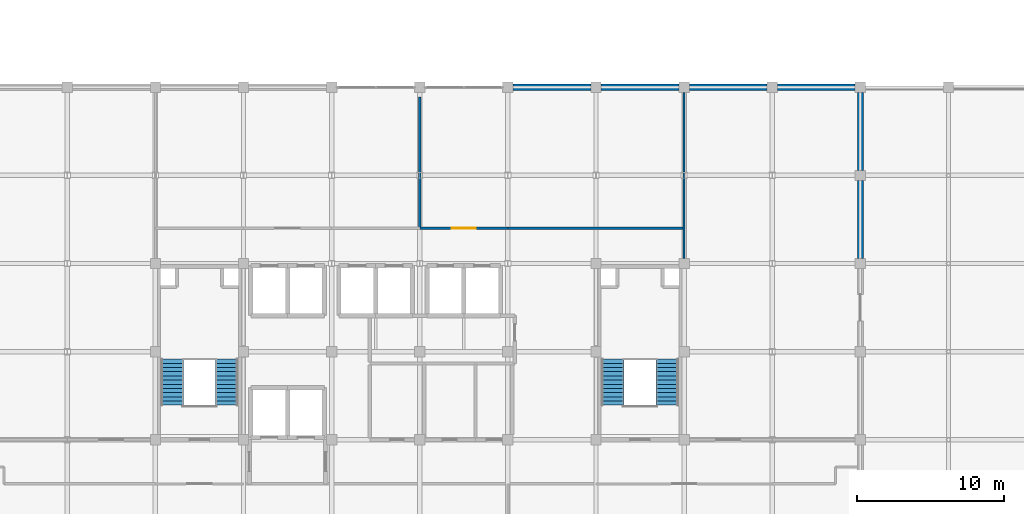
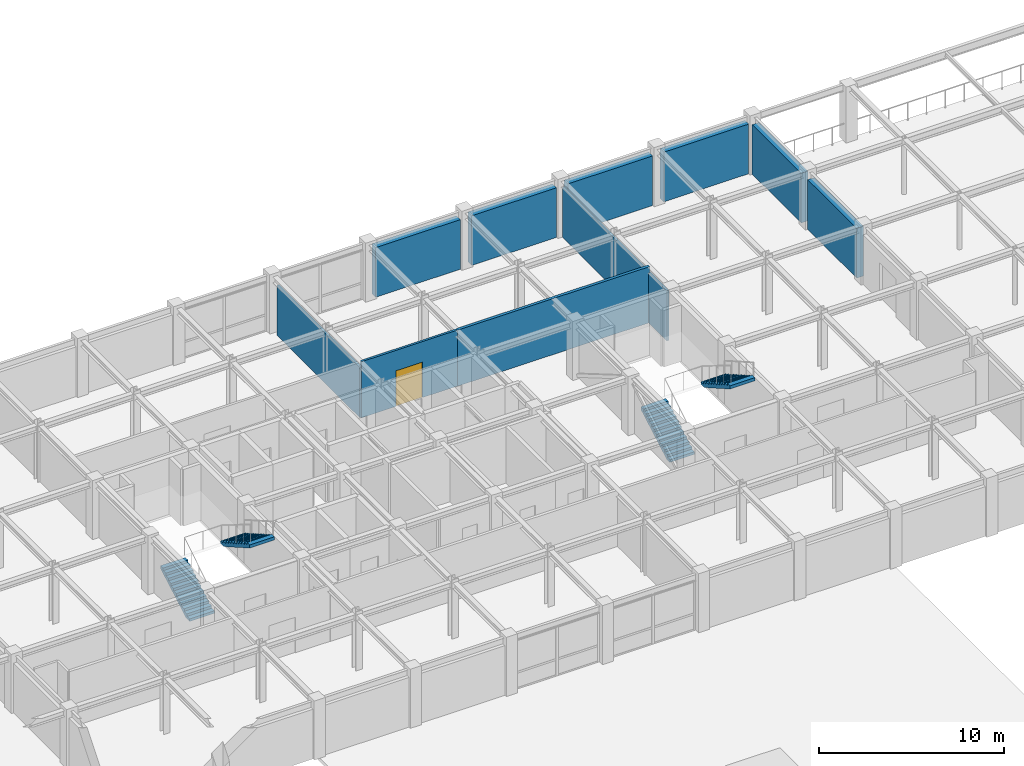
# One storey, part 22 of 25: 10 walls, 4 stair flights, 1 door, 1 opening, 2 elements without a shape of their own.
"""IFC4 building model written with IfcOpenShell, lengths in metres."""

from ifc_helpers import new_model, si_unit, direction, frame, frame_2d, origin, place, context, subcontext, project, spatial, polyline, rectangle, outline, extrude, material, layer, layer_set, type_object, element, fill, aggregate, save


model = new_model("IFC4")

# Units and contexts
model_context = context("Model", 3, precision=1e-05, world=origin(), true_north=direction((0.0, 1.0)))
body_context = subcontext(model_context, "Body", "Model", "MODEL_VIEW")
ifc_project = project(units=[si_unit("LENGTHUNIT", "METRE"), si_unit("AREAUNIT", "SQUARE_METRE"), si_unit("VOLUMEUNIT", "CUBIC_METRE"), si_unit("PLANEANGLEUNIT", "RADIAN"), si_unit("MASSUNIT", "GRAM", prefix="KILO")], contexts=[model_context])

# Site, building, storey
site_placement = place(None, origin())
site = spatial("IfcSite", under=ifc_project, at=site_placement, CompositionType="ELEMENT")
building_placement = place(site_placement, origin())
building = spatial("IfcBuilding", under=site, at=building_placement, Name="Zlatovratsky Civic Hall", CompositionType="ELEMENT")
storey_placement = place(building_placement, frame((0.0, 0.0, 21.0)))
storey = spatial("IfcBuildingStorey", under=building, at=storey_placement, Name="L05", CompositionType="ELEMENT", Elevation=21.0)

# Wall
ifc_material_1 = material(Name="Acoustic ceramic blockwork", Category="masonry")
ifc_layer_1 = layer(ifc_material_1, 0.179931640625)
ifc_layer_set_1 = layer_set([ifc_layer_1], Name="Acoustic ceramic blockwork")
wall_type_1 = type_object("IfcWallType", Name="Wall_AcousticChamberPartition_180", PredefinedType="PARTITIONING", material=ifc_layer_set_1)
wall_1_placement = place(storey_placement, frame((90.0, 98.39990234375, 0.0), z_axis=(0.0, 0.0, 1.0), x_axis=(1.0, 0.0, 0.0)))
element("IfcWall", 1, at=wall_1_placement, inside=storey, type_object=wall_type_1, Name="WL-6288", PredefinedType="PARTITIONING", context=body_context, shape_type="SweptSolid", body=[
    extrude(rectangle(XDim=12.0, YDim=0.179931640625, at=frame_2d((6.0, 0.0))), origin(), (0.0, 0.0, 1.0), 3.699951171875),
])

# Wall, opening, door
ifc_material_2 = material(Name="Fire-rated gypsum board framing", Category="gypsum")
ifc_layer_2 = layer(ifc_material_2, 0.139892578125)
ifc_layer_set_2 = layer_set([ifc_layer_2], Name="Fire-rated gypsum board framing")
wall_type_2 = type_object("IfcWallType", Name="Wall_OfficePartition_140", PredefinedType="PARTITIONING", material=ifc_layer_set_2)
wall_2_placement = place(storey_placement, frame((84.0, 98.39990234375, 0.0), z_axis=(0.0, 0.0, 1.0), x_axis=(1.0, 0.0, 0.0)))
wall_2 = element("IfcWall", 2, at=wall_2_placement, inside=storey, type_object=wall_type_2, Name="WL-6271", PredefinedType="PARTITIONING", context=body_context, shape_type="SweptSolid", body=[
    extrude(rectangle(XDim=6.0, YDim=0.139892578125, at=frame_2d((3.0, 0.0))), origin(), (0.0, 0.0, 1.0), 3.699951171875),
])
opening_placement = place(wall_2_placement, frame((2.175048828125, 0.0, 0.0)))
opening = element("IfcOpeningElement", 3, at=opening_placement, cuts=wall_2, Name="Opening D-25", PredefinedType="OPENING", context=body_context, shape_type="SweptSolid", body=[
    extrude(rectangle(XDim=1.64990234375, YDim=2.35009765625, at=frame_2d((0.824951171875, 1.175048828125))), frame((0.0, 0.0849609375, 0.0), z_axis=(0.0, -1.0, 0.0), x_axis=(1.0, 0.0, 0.0)), (0.0, 0.0, 1.0), 0.169677734375),
])
ifc_material_3 = material(Name="Solid oak joinery in steel frame", Category="steel")
door_type = type_object("IfcDoorType", Name="Door_OpenStudioDouble_1650x2350", OperationType="DOUBLE_DOOR_SINGLE_SWING", PredefinedType="DOOR", material=ifc_material_3)
door_placement = place(opening_placement, origin())
door = element("IfcDoor", 4, at=door_placement, inside=storey, type_object=door_type, Name="DR-5352", OperationType="DOUBLE_DOOR_SINGLE_SWING", OverallHeight=2.35009765625, OverallWidth=1.64990234375, PredefinedType="DOOR", context=body_context, shape_type="SweptSolid", body=[
    extrude(rectangle(XDim=1.64990234375, YDim=2.35009765625, at=frame_2d((0.824951171875, 1.175048828125))), frame((0.0, 0.02490234375, 0.0), z_axis=(0.0, -1.0, 0.0), x_axis=(1.0, 0.0, 0.0)), (0.0, 0.0, 1.0), 0.050048828125),
])
fill(opening, door)

# Walls
wall_3_placement = place(storey_placement, frame((84.0, 98.39990234375, 0.0), z_axis=(0.0, 0.0, 1.0), x_axis=(0.0, 1.0, 0.0)))
element("IfcWall", 5, at=wall_3_placement, inside=storey, type_object=wall_type_2, Name="WL-6273", PredefinedType="PARTITIONING", context=body_context, shape_type="SweptSolid", body=[
    extrude(rectangle(XDim=8.9501953125, YDim=0.139892578125, at=frame_2d((4.47509765625, 0.0))), origin(), (0.0, 0.0, 1.0), 3.31201171875),
])
wall_4_placement = place(storey_placement, frame((102.0, 96.35009765625, 0.0), z_axis=(0.0, 0.0, 1.0), x_axis=(0.0, 1.0, 0.0)))
element("IfcWall", 6, at=wall_4_placement, inside=storey, type_object=wall_type_2, Name="WL-6290", PredefinedType="PARTITIONING", context=body_context, shape_type="SweptSolid", body=[
    extrude(rectangle(XDim=11.2998046875, YDim=0.139892578125, at=frame_2d((5.64990234375, 0.0))), origin(), (0.0, 0.0, 1.0), 3.31201171875),
])
ifc_layer_3 = layer(ifc_material_1, 0.280029296875, Name="Backing")
ifc_material_4 = material(Name="Podolsk limestone ashlar", Category="masonry")
ifc_layer_4 = layer(ifc_material_4, 0.139892578125, Name="Finish")
ifc_layer_set_3 = layer_set([ifc_layer_3, ifc_layer_4], Name="Acoustic ceramic blockwork")
wall_type_3 = type_object("IfcWallType", Name="Wall_TowerLimestoneAshlar_420", PredefinedType="SOLIDWALL", material=ifc_layer_set_3)
for number, where, z_axis, x_axis, name in (
    (7, (90.35009765625, 108.0, 0.0), (0.0, 0.0, 1.0), (1.0, 0.0, 0.0), "WL-0401"),
    (8, (96.35009765625, 108.0, 0.0), (0.0, 0.0, 1.0), (1.0, 0.0, 0.0), "WL-0402"),
    (9, (102.35009765625, 108.0, 0.0), (0.0, 0.0, 1.0), (1.0, 0.0, 0.0), "WL-0403"),
    (10, (108.35009765625, 108.0, 0.0), (0.0, 0.0, 1.0), (1.0, 0.0, 0.0), "WL-0404"),
    (11, (114.0, 96.35009765625, 0.0), (0.0, 0.0, 1.0), (0.0, 1.0, 0.0), "WL-0415"),
    (12, (114.0, 102.35009765625, 0.0), (0.0, 0.0, 1.0), (0.0, 1.0, 0.0), "WL-0416"),
):
    element("IfcWall", number, at=place(storey_placement, frame(where, z_axis=z_axis, x_axis=x_axis)), inside=storey, type_object=wall_type_3, Name=name, PredefinedType="SOLIDWALL", context=body_context, shape_type="SweptSolid", body=[
        extrude(rectangle(XDim=5.2998046875, YDim=0.419921875, at=frame_2d((2.64990234375, 0.0))), origin(), (0.0, 0.0, 1.0), 3.280029296875),
    ])

# Stair, stair flights
ifc_material_5 = material(Name="Concrete C30/37 (B35)", Category="concrete")
stair_type = type_object("IfcStairType", Name="Stair_HALF_24R_1550W_04", PredefinedType="HALF_TURN_STAIR", material=ifc_material_5)
stair_1_placement = place(storey_placement, origin())
stair_1 = element("IfcStair", 13, at=stair_1_placement, inside=storey, type_object=stair_type, Name="ST-006", PredefinedType="HALF_TURN_STAIR")
stair_flight_type = type_object("IfcStairFlightType", Name="StairFlight_12R_1550W_04", PredefinedType="STRAIGHT", material=ifc_material_5)
stair_flight_1_placement = place(storey_placement, frame((67.125, 86.35009765625, 0.0), z_axis=(0.0, 0.0, 1.0), x_axis=(0.0, 1.0, 0.0)))
stair_flight_1 = element("IfcStairFlight", 14, at=stair_flight_1_placement, type_object=stair_flight_type, Name="ST-006-F1", NumberOfRisers=12, NumberOfTreads=11, PredefinedType="STRAIGHT", RiserHeight=0.1625, TreadLength=0.285, context=body_context, shape_type="SweptSolid", body=[
    extrude(outline(polyline([(0.0, 0.0), (0.0, 0.16259765625), (0.284912109375, 0.16259765625), (0.284912109375, 0.324951171875), (0.570068359375, 0.324951171875), (0.570068359375, 0.487548828125), (0.85498046875, 0.487548828125), (0.85498046875, 0.64990234375), (1.139892578125, 0.64990234375), (1.139892578125, 0.8125), (1.425048828125, 0.8125), (1.425048828125, 0.97509765625), (1.7099609375, 0.97509765625), (1.7099609375, 1.137451171875), (1.9951171875, 1.137451171875), (1.9951171875, 1.300048828125), (2.280029296875, 1.300048828125), (2.280029296875, 1.46240234375), (2.56494140625, 1.46240234375), (2.56494140625, 1.625), (2.85009765625, 1.625), (2.85009765625, 1.78759765625), (3.135009765625, 1.78759765625), (3.135009765625, 1.949951171875), (3.135009765625, 1.580322265625), (0.36328125, 0.0), (0.0, 0.0)])), frame((0.0, 0.77490234375, 0.0), z_axis=(0.0, -1.0, 0.0), x_axis=(1.0, 0.0, 0.0)), (0.0, 0.0, 1.0), 1.550048828125),
])
stair_flight_2_placement = place(storey_placement, frame((70.875, 89.485107421875, 1.949951171875), z_axis=(0.0, 0.0, 1.0), x_axis=(0.0, -1.0, 0.0)))
stair_flight_2 = element("IfcStairFlight", 15, at=stair_flight_2_placement, type_object=stair_flight_type, Name="ST-006-F2", NumberOfRisers=12, NumberOfTreads=11, PredefinedType="STRAIGHT", RiserHeight=0.1625, TreadLength=0.285, context=body_context, shape_type="SweptSolid", body=[
    extrude(outline(polyline([(0.0, 0.0), (0.0, 0.16259765625), (0.284912109375, 0.16259765625), (0.284912109375, 0.324951171875), (0.570068359375, 0.324951171875), (0.570068359375, 0.487548828125), (0.85498046875, 0.487548828125), (0.85498046875, 0.64990234375), (1.139892578125, 0.64990234375), (1.139892578125, 0.8125), (1.425048828125, 0.8125), (1.425048828125, 0.97509765625), (1.7099609375, 0.97509765625), (1.7099609375, 1.137451171875), (1.9951171875, 1.137451171875), (1.9951171875, 1.300048828125), (2.280029296875, 1.300048828125), (2.280029296875, 1.46240234375), (2.56494140625, 1.46240234375), (2.56494140625, 1.625), (2.85009765625, 1.625), (2.85009765625, 1.78759765625), (3.135009765625, 1.78759765625), (3.135009765625, 1.949951171875), (3.135009765625, 1.580322265625), (0.36328125, 0.0), (0.0, 0.0)])), frame((0.0, 0.77490234375, 0.0), z_axis=(0.0, -1.0, 0.0), x_axis=(1.0, 0.0, 0.0)), (0.0, 0.0, 1.0), 1.550048828125),
])
aggregate(stair_1, [stair_flight_1, stair_flight_2])

stair_2_placement = place(storey_placement, origin())
stair_2 = element("IfcStair", 16, at=stair_2_placement, inside=storey, type_object=stair_type, Name="ST-025", PredefinedType="HALF_TURN_STAIR")
stair_flight_3_placement = place(storey_placement, frame((97.125, 86.35009765625, 0.0), z_axis=(0.0, 0.0, 1.0), x_axis=(0.0, 1.0, 0.0)))
stair_flight_3 = element("IfcStairFlight", 17, at=stair_flight_3_placement, type_object=stair_flight_type, Name="ST-025-F1", NumberOfRisers=12, NumberOfTreads=11, PredefinedType="STRAIGHT", RiserHeight=0.1625, TreadLength=0.285, context=body_context, shape_type="SweptSolid", body=[
    extrude(outline(polyline([(0.0, 0.0), (0.0, 0.16259765625), (0.284912109375, 0.16259765625), (0.284912109375, 0.324951171875), (0.570068359375, 0.324951171875), (0.570068359375, 0.487548828125), (0.85498046875, 0.487548828125), (0.85498046875, 0.64990234375), (1.139892578125, 0.64990234375), (1.139892578125, 0.8125), (1.425048828125, 0.8125), (1.425048828125, 0.97509765625), (1.7099609375, 0.97509765625), (1.7099609375, 1.137451171875), (1.9951171875, 1.137451171875), (1.9951171875, 1.300048828125), (2.280029296875, 1.300048828125), (2.280029296875, 1.46240234375), (2.56494140625, 1.46240234375), (2.56494140625, 1.625), (2.85009765625, 1.625), (2.85009765625, 1.78759765625), (3.135009765625, 1.78759765625), (3.135009765625, 1.949951171875), (3.135009765625, 1.580322265625), (0.36328125, 0.0), (0.0, 0.0)])), frame((0.0, 0.77490234375, 0.0), z_axis=(0.0, -1.0, 0.0), x_axis=(1.0, 0.0, 0.0)), (0.0, 0.0, 1.0), 1.550048828125),
])
stair_flight_4_placement = place(storey_placement, frame((100.875, 89.485107421875, 1.949951171875), z_axis=(0.0, 0.0, 1.0), x_axis=(0.0, -1.0, 0.0)))
stair_flight_4 = element("IfcStairFlight", 18, at=stair_flight_4_placement, type_object=stair_flight_type, Name="ST-025-F2", NumberOfRisers=12, NumberOfTreads=11, PredefinedType="STRAIGHT", RiserHeight=0.1625, TreadLength=0.285, context=body_context, shape_type="SweptSolid", body=[
    extrude(outline(polyline([(0.0, 0.0), (0.0, 0.16259765625), (0.284912109375, 0.16259765625), (0.284912109375, 0.324951171875), (0.570068359375, 0.324951171875), (0.570068359375, 0.487548828125), (0.85498046875, 0.487548828125), (0.85498046875, 0.64990234375), (1.139892578125, 0.64990234375), (1.139892578125, 0.8125), (1.425048828125, 0.8125), (1.425048828125, 0.97509765625), (1.7099609375, 0.97509765625), (1.7099609375, 1.137451171875), (1.9951171875, 1.137451171875), (1.9951171875, 1.300048828125), (2.280029296875, 1.300048828125), (2.280029296875, 1.46240234375), (2.56494140625, 1.46240234375), (2.56494140625, 1.625), (2.85009765625, 1.625), (2.85009765625, 1.78759765625), (3.135009765625, 1.78759765625), (3.135009765625, 1.949951171875), (3.135009765625, 1.580322265625), (0.36328125, 0.0), (0.0, 0.0)])), frame((0.0, 0.77490234375, 0.0), z_axis=(0.0, -1.0, 0.0), x_axis=(1.0, 0.0, 0.0)), (0.0, 0.0, 1.0), 1.550048828125),
])
aggregate(stair_2, [stair_flight_3, stair_flight_4])

save(model, "model.ifc")
